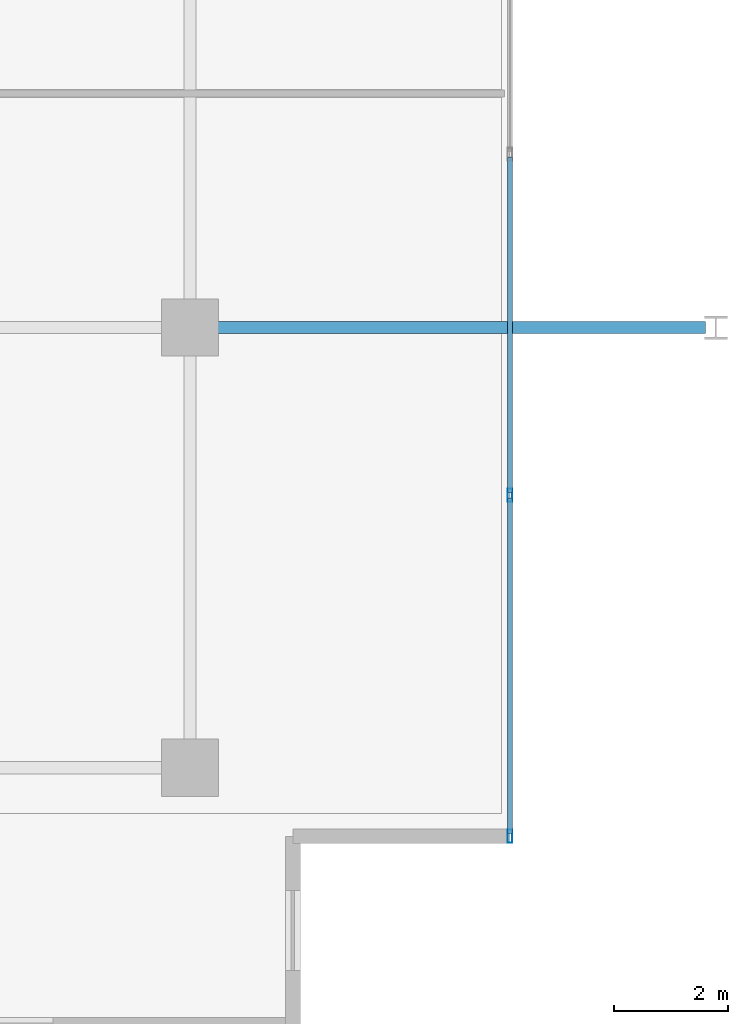
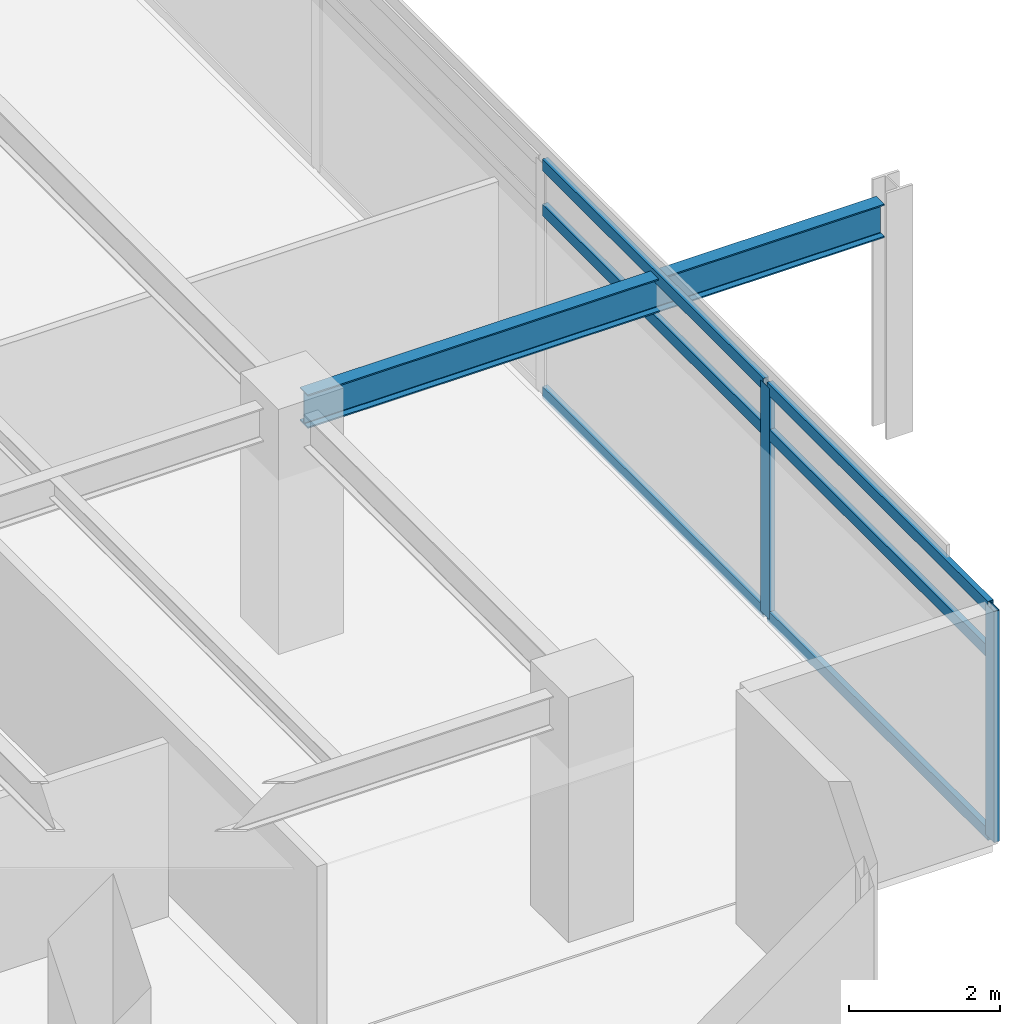
# One storey, part 2 of 20: 8 members, 1 beam, 1 element without a shape of its own.
"""IFC4 building model written with IfcOpenShell, lengths in metres."""

from ifc_helpers import new_model, si_unit, direction, frame, origin, origin_2d, place, context, subcontext, project, spatial, hollow_rectangle, i_section, extrude, material, material_profile, profile_set, type_object, element, aggregate, save


model = new_model("IFC4")

# Units and contexts
model_context = context("Model", 3, precision=1e-05, world=origin(), true_north=direction((0.0, 1.0)))
body_context = subcontext(model_context, "Body", "Model", "MODEL_VIEW")
ifc_project = project(units=[si_unit("LENGTHUNIT", "METRE"), si_unit("AREAUNIT", "SQUARE_METRE"), si_unit("VOLUMEUNIT", "CUBIC_METRE"), si_unit("PLANEANGLEUNIT", "RADIAN"), si_unit("MASSUNIT", "GRAM", prefix="KILO")], contexts=[model_context])

# Site, building, storey
site_placement = place(None, origin())
site = spatial("IfcSite", under=ifc_project, at=site_placement, CompositionType="ELEMENT")
building_placement = place(site_placement, origin())
building = spatial("IfcBuilding", under=site, at=building_placement, Name="Kovane Verandah Tower", CompositionType="ELEMENT")
storey_placement = place(building_placement, frame((0.0, 0.0, 306.800048828125)))
storey = spatial("IfcBuildingStorey", under=building, at=storey_placement, Name="L71", CompositionType="ELEMENT", Elevation=306.800048828125)

# Beam
ifc_material_1 = material(Name="Steel S355", Category="steel")
ifc_material_profile_1 = material_profile(ifc_material_1, i_section(OverallWidth=0.2119140625, OverallDepth=0.54443359375, WebThickness=0.0126953125, FlangeThickness=0.021240234375, FilletRadius=0.0126953125, at=origin_2d()), Name="UB533x210x122")
ifc_profile_set_1 = profile_set([ifc_material_profile_1], Name="Steel S355")
beam_type = type_object("IfcBeamType", Name="BM-UB533x122", PredefinedType="BEAM", material=ifc_profile_set_1)
beam_placement = place(storey_placement, frame((58.580078125, 18.5, 3.48779296875), z_axis=(1.0, 0.0, 0.0), x_axis=(0.0, 1.0, 0.0)))
element("IfcBeam", 1, at=beam_placement, inside=storey, type_object=beam_type, Name="L71 Primary Tower Girder G-VE1", PredefinedType="BEAM", context=body_context, shape_type="SweptSolid", body=[
    extrude(i_section(OverallWidth=0.2119140625, OverallDepth=0.54443359375, WebThickness=0.0126953125, FlangeThickness=0.021240234375, FilletRadius=0.0126953125, at=origin_2d()), origin(), (0.0, 0.0, 1.0), 8.83984375),
])

# Curtain wall, members
ifc_material_2 = material(Name="Champagne Anodised Aluminium Frame with Low-E Clear Laminated Glass", Category="aluminium")
curtain_wall_type = type_object("IfcCurtainWallType", Name="CW-SYS-05-HIGH", PredefinedType="NOTDEFINED", material=ifc_material_2)
curtain_wall_placement = place(storey_placement, origin())
curtain_wall = element("IfcCurtainWall", 2, at=curtain_wall_placement, inside=storey, type_object=curtain_wall_type, Name="L71 E Unitised Curtain Wall", PredefinedType="NOTDEFINED")
ifc_material_3 = material(Name="Champagne Anodised Aluminium 6063-T6", Category="aluminium")
ifc_material_profile_2 = material_profile(ifc_material_3, hollow_rectangle(XDim=0.0849609375, YDim=0.22998046875, WallThickness=0.00390625, at=origin_2d()), Name="AL85x230x4")
ifc_profile_set_2 = profile_set([ifc_material_profile_2], Name="Champagne Anodised Aluminium 6063-T6")
member_type_1 = type_object("IfcMemberType", Name="CW-MUL-85x230", PredefinedType="MULLION", material=ifc_profile_set_2)
member_1_placement = place(storey_placement, frame((64.0, 9.60009765625, 0.02001953125), z_axis=(0.0, 0.0, 1.0), x_axis=(1.0, 0.0, 0.0)))
member_1 = element("IfcMember", 3, at=member_1_placement, type_object=member_type_1, Name="L71 E Unitised Curtain Wall Mullion 1", PredefinedType="MULLION", context=body_context, shape_type="SweptSolid", body=[
    extrude(hollow_rectangle(XDim=0.0849609375, YDim=0.22998046875, WallThickness=0.00390625, at=origin_2d()), origin(), (0.0, 0.0, 1.0), 3.744873046875),
])
member_2_placement = place(storey_placement, frame((64.0, 15.566650390625, 0.02001953125), z_axis=(0.0, 0.0, 1.0), x_axis=(1.0, 0.0, 0.0)))
member_2 = element("IfcMember", 4, at=member_2_placement, type_object=member_type_1, Name="L71 E Unitised Curtain Wall Mullion 2", PredefinedType="MULLION", context=body_context, shape_type="SweptSolid", body=[
    extrude(hollow_rectangle(XDim=0.0849609375, YDim=0.22998046875, WallThickness=0.00390625, at=origin_2d()), origin(), (0.0, 0.0, 1.0), 3.744873046875),
])
ifc_material_profile_3 = material_profile(ifc_material_3, hollow_rectangle(XDim=0.0849609375, YDim=0.18994140625, WallThickness=0.00390625, at=origin_2d()), Name="AL85x190x4")
ifc_profile_set_3 = profile_set([ifc_material_profile_3], Name="Champagne Anodised Aluminium 6063-T6")
member_type_2 = type_object("IfcMemberType", Name="CW-TRN-85x190", PredefinedType="USERDEFINED", material=ifc_profile_set_3)
member_3_placement = place(storey_placement, frame((64.0, 9.64990234375, 0.050048828125), z_axis=(0.0, 1.0, 0.0), x_axis=(-1.0, 0.0, 0.0)))
member_3 = element("IfcMember", 5, at=member_3_placement, type_object=member_type_2, Name="L71 E Unitised Curtain Wall Transom TB Bay 1", ObjectType="TRANSOM", PredefinedType="USERDEFINED", context=body_context, shape_type="SweptSolid", body=[
    extrude(hollow_rectangle(XDim=0.0849609375, YDim=0.18994140625, WallThickness=0.00390625, at=origin_2d()), origin(), (0.0, 0.0, 1.0), 5.86669921875),
])
member_4_placement = place(storey_placement, frame((64.0, 9.64990234375, 3.0048828125), z_axis=(0.0, 1.0, 0.0), x_axis=(-1.0, 0.0, 0.0)))
member_4 = element("IfcMember", 6, at=member_4_placement, type_object=member_type_2, Name="L71 E Unitised Curtain Wall Transom TM Bay 1", ObjectType="TRANSOM", PredefinedType="USERDEFINED", context=body_context, shape_type="SweptSolid", body=[
    extrude(hollow_rectangle(XDim=0.0849609375, YDim=0.18994140625, WallThickness=0.00390625, at=origin_2d()), origin(), (0.0, 0.0, 1.0), 5.86669921875),
])
member_5_placement = place(storey_placement, frame((64.0, 9.64990234375, 3.73486328125), z_axis=(0.0, 1.0, 0.0), x_axis=(-1.0, 0.0, 0.0)))
member_5 = element("IfcMember", 7, at=member_5_placement, type_object=member_type_2, Name="L71 E Unitised Curtain Wall Transom TT Bay 1", ObjectType="TRANSOM", PredefinedType="USERDEFINED", context=body_context, shape_type="SweptSolid", body=[
    extrude(hollow_rectangle(XDim=0.0849609375, YDim=0.18994140625, WallThickness=0.00390625, at=origin_2d()), origin(), (0.0, 0.0, 1.0), 5.86669921875),
])
member_6_placement = place(storey_placement, frame((64.0, 15.61669921875, 0.050048828125), z_axis=(0.0, 1.0, 0.0), x_axis=(-1.0, 0.0, 0.0)))
member_6 = element("IfcMember", 8, at=member_6_placement, type_object=member_type_2, Name="L71 E Unitised Curtain Wall Transom TB Bay 2", ObjectType="TRANSOM", PredefinedType="USERDEFINED", context=body_context, shape_type="SweptSolid", body=[
    extrude(hollow_rectangle(XDim=0.0849609375, YDim=0.18994140625, WallThickness=0.00390625, at=origin_2d()), origin(), (0.0, 0.0, 1.0), 5.86669921875),
])
member_7_placement = place(storey_placement, frame((64.0, 15.61669921875, 3.0048828125), z_axis=(0.0, 1.0, 0.0), x_axis=(-1.0, 0.0, 0.0)))
member_7 = element("IfcMember", 9, at=member_7_placement, type_object=member_type_2, Name="L71 E Unitised Curtain Wall Transom TM Bay 2", ObjectType="TRANSOM", PredefinedType="USERDEFINED", context=body_context, shape_type="SweptSolid", body=[
    extrude(hollow_rectangle(XDim=0.0849609375, YDim=0.18994140625, WallThickness=0.00390625, at=origin_2d()), origin(), (0.0, 0.0, 1.0), 5.86669921875),
])
member_8_placement = place(storey_placement, frame((64.0, 15.61669921875, 3.73486328125), z_axis=(0.0, 1.0, 0.0), x_axis=(-1.0, 0.0, 0.0)))
member_8 = element("IfcMember", 10, at=member_8_placement, type_object=member_type_2, Name="L71 E Unitised Curtain Wall Transom TT Bay 2", ObjectType="TRANSOM", PredefinedType="USERDEFINED", context=body_context, shape_type="SweptSolid", body=[
    extrude(hollow_rectangle(XDim=0.0849609375, YDim=0.18994140625, WallThickness=0.00390625, at=origin_2d()), origin(), (0.0, 0.0, 1.0), 5.86669921875),
])
aggregate(curtain_wall, [member_1, member_2, member_3, member_4, member_5, member_6, member_7, member_8])

save(model, "model.ifc")
